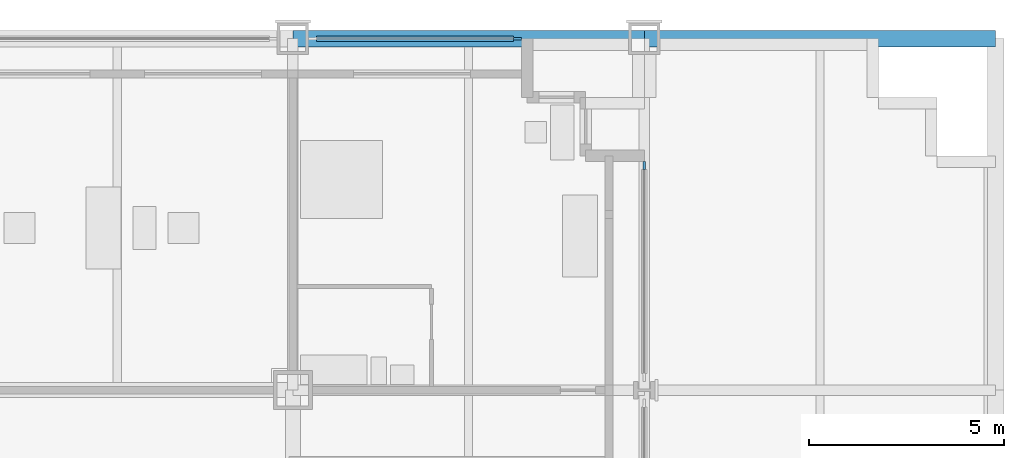
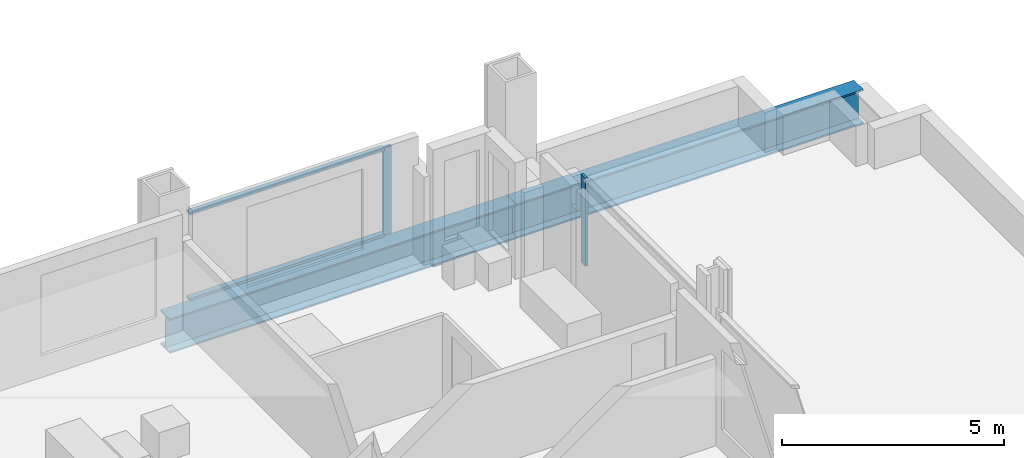
# One storey, part 8 of 19: 4 members, 2 beams, 2 elements without a shape of their own.
"""IFC4 building model written with IfcOpenShell, lengths in metres."""

import ifcopenshell
import ifcopenshell.guid

model = None  # the IFC model being written
_history = None  # IfcOwnerHistory: only IFC2X3 demands one
_inside = {}  # id of a spatial element -> (the spatial element, [elements in it])
_under = {}  # id of a project, library or spatial element -> (it, [spatial elements below it])
_declared = {}  # id of a project -> (the project, [libraries it declares])
_typed = {}  # id of a type object -> (the type object, [elements of that type])
_made_of = {}  # id of a material, layer set ... -> (it, [elements and type objects made of it])


def new_model(schema):
    """Start an empty IFC model of exactly this schema.

    Asked for "IFC4X3", IfcOpenShell would pick the latest addendum, in which some entities
    have other attributes; the version numbers below select the first issue.
    IFC2X3 requires an IfcOwnerHistory on every rooted entity: one is made here for all.
    """
    global model, _history
    if schema == "IFC4X3":
        model = ifcopenshell.file(schema_version=(4, 3, 0, 0))
    else:
        model = ifcopenshell.file(schema=schema)
    _inside.clear()
    _under.clear()
    _declared.clear()
    _typed.clear()
    _made_of.clear()
    _history = None
    if model.schema == "IFC2X3":
        org = make("IfcOrganization", Name="unknown")
        user = make(
            "IfcPersonAndOrganization",
            ThePerson=make("IfcPerson", FamilyName="unknown"),
            TheOrganization=org,
        )
        app = make(
            "IfcApplication",
            ApplicationDeveloper=org,
            Version="unknown",
            ApplicationFullName="unknown",
            ApplicationIdentifier="unknown",
        )
        _history = make(
            "IfcOwnerHistory",
            OwningUser=user,
            OwningApplication=app,
            ChangeAction="ADDED",
            CreationDate=0,
        )
    return model


def make(cls, **values):
    """One entity of the class cls with the attributes given. An attribute that is None is left unset."""
    return model.create_entity(
        cls, **{name: value for name, value in values.items() if value is not None}
    )


def rooted(cls, **values):
    """An entity with a GlobalId (a new one), such as an element, a storey or a relation."""
    return make(cls, GlobalId=ifcopenshell.guid.new(), OwnerHistory=_history, **values)


def si_unit(unit_type, name, prefix=None):
    """IfcSIUnit, for example si_unit("LENGTHUNIT", "METRE", prefix="MILLI")."""
    return make("IfcSIUnit", UnitType=unit_type, Prefix=prefix, Name=name)


def assignment(units):
    """IfcUnitAssignment: the units of a project."""
    return None if units is None else make("IfcUnitAssignment", Units=units)


def point(xyz):
    """IfcCartesianPoint."""
    return None if xyz is None else make("IfcCartesianPoint", Coordinates=xyz)


def direction(xyz):
    """IfcDirection."""
    return None if xyz is None else make("IfcDirection", DirectionRatios=xyz)


def frame(location, z_axis=None, x_axis=None):
    """IfcAxis2Placement3D, a coordinate frame: its origin and axes. An axis left out is left unset."""
    return make(
        "IfcAxis2Placement3D",
        Location=point(location),
        Axis=direction(z_axis),
        RefDirection=direction(x_axis),
    )


def frame_2d(location, x_axis=None):
    """IfcAxis2Placement2D, a coordinate frame in the plane: its origin and x axis."""
    return make(
        "IfcAxis2Placement2D", Location=point(location), RefDirection=direction(x_axis)
    )


def origin():
    """The frame at (0, 0, 0) with its axes left unset."""
    return frame((0.0, 0.0, 0.0))


def origin_2d():
    """The frame at (0, 0) in the plane with its x axis left unset."""
    return frame_2d((0.0, 0.0))


def place(relative_to, where):
    """IfcLocalPlacement: puts the frame where relative to a parent placement (None: the world)."""
    return make(
        "IfcLocalPlacement", PlacementRelTo=relative_to, RelativePlacement=where
    )


def context(
    kind, dimensions, precision=None, world=None, true_north=None, identifier=None
):
    """IfcGeometricRepresentationContext, for example the 3D "Model" context."""
    return make(
        "IfcGeometricRepresentationContext",
        ContextIdentifier=identifier,
        ContextType=kind,
        CoordinateSpaceDimension=dimensions,
        Precision=precision,
        WorldCoordinateSystem=world,
        TrueNorth=true_north,
    )


def subcontext(parent, identifier, kind, view, scale=None):
    """IfcGeometricRepresentationSubContext, for example "Body" below "Model"."""
    return make(
        "IfcGeometricRepresentationSubContext",
        ContextIdentifier=identifier,
        ContextType=kind,
        ParentContext=parent,
        TargetScale=scale,
        TargetView=view,
    )


def project(units=None, contexts=None):
    """IfcProject with its units and contexts."""
    return rooted(
        "IfcProject",
        Name="project",
        RepresentationContexts=contexts,
        UnitsInContext=assignment(units),
    )


def spatial(cls, under=None, at=None, **own):
    """A site, building, storey or space (cls), placed at a placement, below another one or the project."""
    s = rooted(cls, ObjectPlacement=at, **own)
    if under is not None:
        _under.setdefault(under.id(), (under, []))[1].append(s)
    return s


def profile(cls, at=None, kind="AREA", **sizes):
    """A parametric profile (cls). Its sizes go by their IFC names, for example OverallWidth=200.0."""
    return make(cls, ProfileType=kind, Position=at, **sizes)


def rectangle(**sizes):
    """IfcRectangleProfileDef."""
    return profile("IfcRectangleProfileDef", **sizes)


def i_section(**sizes):
    """IfcIShapeProfileDef."""
    return profile("IfcIShapeProfileDef", **sizes)


def extrude(swept, where, along, depth):
    """IfcExtrudedAreaSolid: the profile swept, set in the frame where, extruded along a direction by depth."""
    return make(
        "IfcExtrudedAreaSolid",
        SweptArea=swept,
        Position=where,
        ExtrudedDirection=direction(along),
        Depth=depth,
    )


def shape(context_of_items, identifier, shape_type, items):
    """IfcShapeRepresentation: the items that make up one representation, for example the "Body"."""
    return make(
        "IfcShapeRepresentation",
        ContextOfItems=context_of_items,
        RepresentationIdentifier=identifier,
        RepresentationType=shape_type,
        Items=items,
    )


def material(Name=None, Category=None):
    """IfcMaterial."""
    return make("IfcMaterial", Name=Name, Category=Category)


def material_profile(
    of_material, cross_section, Name=None, Category=None, Priority=None
):
    """IfcMaterialProfile: a cross section and its material."""
    return make(
        "IfcMaterialProfile",
        Name=Name,
        Material=of_material,
        Profile=cross_section,
        Priority=Priority,
        Category=Category,
    )


def profile_set(profiles, Name=None, composite=None):
    """IfcMaterialProfileSet."""
    return make(
        "IfcMaterialProfileSet",
        Name=Name,
        MaterialProfiles=profiles,
        CompositeProfile=composite,
    )


def made_of(thing, what):
    """Note that an element or type object is made of a material, layer set ...; save() writes the relation."""
    if what is not None:
        _made_of.setdefault(what.id(), (what, []))[1].append(thing)
    return thing


def type_object(cls, material=None, **own):
    """A type object (cls), such as IfcWallType, which elements share."""
    return made_of(rooted(cls, **own), material)


def element(
    cls,
    number,
    at=None,
    inside=None,
    cuts=None,
    type_object=None,
    material=None,
    context=None,
    identifier="Body",
    shape_type=None,
    held_by="IfcProductDefinitionShape",
    body=None,
    shapes=None,
    **own,
):
    """One element of the class cls, such as IfcWall. Its Tag is "e" and its number.

    at: its placement. inside: the storey or other place that contains it. cuts: it is an
    opening in that element (IfcRelVoidsElement). A single representation is given by context,
    identifier, shape_type and body (its items); several are given by shapes. held_by: the class
    of the entity that holds the representations. save() writes the other relations.
    """
    e = rooted(cls, Tag="e%d" % number, ObjectPlacement=at, **own)
    if body is not None:
        shapes = [shape(context, identifier, shape_type, body)]
    if shapes is not None:
        e.Representation = make(held_by, Representations=shapes)
    if inside is not None:
        _inside.setdefault(inside.id(), (inside, []))[1].append(e)
    if cuts is not None:
        rooted(
            "IfcRelVoidsElement", RelatingBuildingElement=cuts, RelatedOpeningElement=e
        )
    if type_object is not None:
        _typed.setdefault(type_object.id(), (type_object, []))[1].append(e)
    return made_of(e, material)


def aggregate(whole, parts):
    """IfcRelAggregates: a whole, such as a stair, and the parts it consists of."""
    return rooted("IfcRelAggregates", RelatingObject=whole, RelatedObjects=parts)


def save(model, path):
    """Write the relations noted so far, then the file.

    IfcRelAggregates (storeys below a building ...), IfcRelContainedInSpatialStructure (elements
    in a storey), IfcRelDefinesByType, IfcRelAssociatesMaterial and IfcRelDeclares: one each for
    every whole, place, type object, material and project.
    """
    for whole, parts in _under.values():
        aggregate(whole, parts)
    for where, things in _inside.values():
        rooted(
            "IfcRelContainedInSpatialStructure",
            RelatedElements=things,
            RelatingStructure=where,
        )
    for kind, things in _typed.values():
        rooted("IfcRelDefinesByType", RelatedObjects=things, RelatingType=kind)
    for what, things in _made_of.values():
        rooted("IfcRelAssociatesMaterial", RelatedObjects=things, RelatingMaterial=what)
    for by, libraries in _declared.values():
        rooted("IfcRelDeclares", RelatingContext=by, RelatedDefinitions=libraries)
    model.write(path)


model = new_model("IFC4")

# Units and contexts
model_context = context("Model", 3, precision=1e-05, world=origin(), true_north=direction((0.0, 1.0)))
body_context = subcontext(model_context, "Body", "Model", "MODEL_VIEW")
ifc_project = project(units=[si_unit("LENGTHUNIT", "METRE"), si_unit("AREAUNIT", "SQUARE_METRE"), si_unit("VOLUMEUNIT", "CUBIC_METRE"), si_unit("PLANEANGLEUNIT", "RADIAN"), si_unit("MASSUNIT", "GRAM", prefix="KILO")], contexts=[model_context])

# Site, building, storey
site_placement = place(None, origin())
site = spatial("IfcSite", under=ifc_project, at=site_placement, CompositionType="ELEMENT")
building_placement = place(site_placement, origin())
building = spatial("IfcBuilding", under=site, at=building_placement, Name="Loomwork Tower", CompositionType="ELEMENT")
storey_placement = place(building_placement, frame((0.0, 0.0, 94.199951171875)))
storey = spatial("IfcBuildingStorey", under=building, at=storey_placement, Name="L24", CompositionType="ELEMENT", Elevation=94.199951171875)

# Beams
ifc_material_1 = material(Name="Steel ASTM A992", Category="steel")
ifc_material_profile_1 = material_profile(ifc_material_1, i_section(OverallWidth=0.424072265625, OverallDepth=0.947509765625, WebThickness=0.02392578125, FlangeThickness=0.042724609375, at=origin_2d()), Name="W36x302")
ifc_profile_set_1 = profile_set([ifc_material_profile_1], Name="Steel ASTM A992")
beam_type = type_object("IfcBeamType", Name="BELT CHORD SPANDREL W36x302", PredefinedType="SPANDREL", material=ifc_profile_set_1)
for number, where, z_axis, x_axis, name in (
    (1, (36.0, 36.0, -0.673583984375), (1.0, 0.0, 0.0), (0.0, 1.0, 0.0), "Belt Chord Spandrel H/6-H/7 L24"),
    (2, (45.0, 36.0, -0.673583984375), (1.0, 0.0, 0.0), (0.0, 1.0, 0.0), "Belt Chord Spandrel H/7-H/8 L24"),
):
    element("IfcBeam", number, at=place(storey_placement, frame(where, z_axis=z_axis, x_axis=x_axis)), inside=storey, type_object=beam_type, Name=name, PredefinedType="SPANDREL", context=body_context, shape_type="SweptSolid", body=[
        extrude(i_section(OverallWidth=0.424072265625, OverallDepth=0.947509765625, WebThickness=0.02392578125, FlangeThickness=0.042724609375, at=origin_2d()), origin(), (0.0, 0.0, 1.0), 9.0),
    ])

# Curtain wall, member
ifc_material_2 = material(Name="Aluminium curtain wall frame", Category="aluminium")
curtain_wall_type = type_object("IfcCurtainWallType", Name="Outer skin glazing hotel", PredefinedType="NOTDEFINED", material=ifc_material_2)
curtain_wall_1_placement = place(storey_placement, origin())
curtain_wall_1 = element("IfcCurtainWall", 3, at=curtain_wall_1_placement, inside=storey, type_object=curtain_wall_type, Name="Outer skin glazing hotel cw/N-36", PredefinedType="NOTDEFINED")
ifc_material_3 = material(Name="Aluminium curtain wall frame", Category="aluminium")
ifc_material_profile_2 = material_profile(ifc_material_3, rectangle(XDim=0.06494140625, YDim=0.199951171875, at=origin_2d()), Name="AL 65x200")
ifc_profile_set_2 = profile_set([ifc_material_profile_2], Name="Aluminium curtain wall frame")
member_type_1 = type_object("IfcMemberType", Name="Outer skin glazing hotel mullion", PredefinedType="MULLION", material=ifc_profile_set_2)
member_1_placement = place(storey_placement, frame((41.75, 36.0, 0.0), z_axis=(0.0, 0.0, 1.0), x_axis=(0.0, -1.0, 0.0)))
member_1 = element("IfcMember", 4, at=member_1_placement, type_object=member_type_1, Name="CW1 mullion 1", PredefinedType="MULLION", context=body_context, shape_type="SweptSolid", body=[
    extrude(rectangle(XDim=0.06494140625, YDim=0.199951171875, at=origin_2d()), origin(), (0.0, 0.0, 1.0), 2.420166015625),
])

curtain_wall_2_placement = place(storey_placement, origin())
curtain_wall_2 = element("IfcCurtainWall", 5, at=curtain_wall_2_placement, inside=storey, type_object=curtain_wall_type, Name="Outer skin glazing hotel cw/E-27", PredefinedType="NOTDEFINED")
member_2_placement = place(storey_placement, frame((45.0, 32.75, 0.0), z_axis=(0.0, 0.0, 1.0), x_axis=(-1.0, 0.0, 0.0)))
member_2 = element("IfcMember", 6, at=member_2_placement, type_object=member_type_1, Name="CW1 mullion 2", PredefinedType="MULLION", context=body_context, shape_type="SweptSolid", body=[
    extrude(rectangle(XDim=0.06494140625, YDim=0.199951171875, at=origin_2d()), origin(), (0.0, 0.0, 1.0), 2.420166015625),
])
aggregate(curtain_wall_2, [member_2])

# Member
ifc_material_4 = material(Name="Aluminium curtain wall frame", Category="aluminium")
ifc_material_profile_3 = material_profile(ifc_material_4, rectangle(XDim=0.14990234375, YDim=0.06494140625, at=origin_2d()), Name="AL 65x150")
ifc_profile_set_3 = profile_set([ifc_material_profile_3], Name="Aluminium curtain wall frame")
member_type_2 = type_object("IfcMemberType", Name="Outer skin glazing hotel transom", PredefinedType="USERDEFINED", material=ifc_profile_set_3)
member_3_placement = place(storey_placement, frame((41.64990234375, 36.0, 0.032470703125), z_axis=(-1.0, 0.0, 0.0), x_axis=(0.0, -1.0, 0.0)))
member_3 = element("IfcMember", 7, at=member_3_placement, type_object=member_type_2, Name="CW1 transom 1.1", ObjectType="TRANSOM", PredefinedType="USERDEFINED", context=body_context, shape_type="SweptSolid", body=[
    extrude(rectangle(XDim=0.14990234375, YDim=0.06494140625, at=origin_2d()), origin(), (0.0, 0.0, 1.0), 5.0498046875),
])

member_4_placement = place(storey_placement, frame((41.64990234375, 36.0, 2.3876953125), z_axis=(-1.0, 0.0, 0.0), x_axis=(0.0, -1.0, 0.0)))
member_4 = element("IfcMember", 8, at=member_4_placement, type_object=member_type_2, Name="CW1 transom 1.2", ObjectType="TRANSOM", PredefinedType="USERDEFINED", context=body_context, shape_type="SweptSolid", body=[
    extrude(rectangle(XDim=0.14990234375, YDim=0.06494140625, at=origin_2d()), origin(), (0.0, 0.0, 1.0), 5.0498046875),
])

aggregate(curtain_wall_1, [member_1, member_3, member_4])

save(model, "model.ifc")
